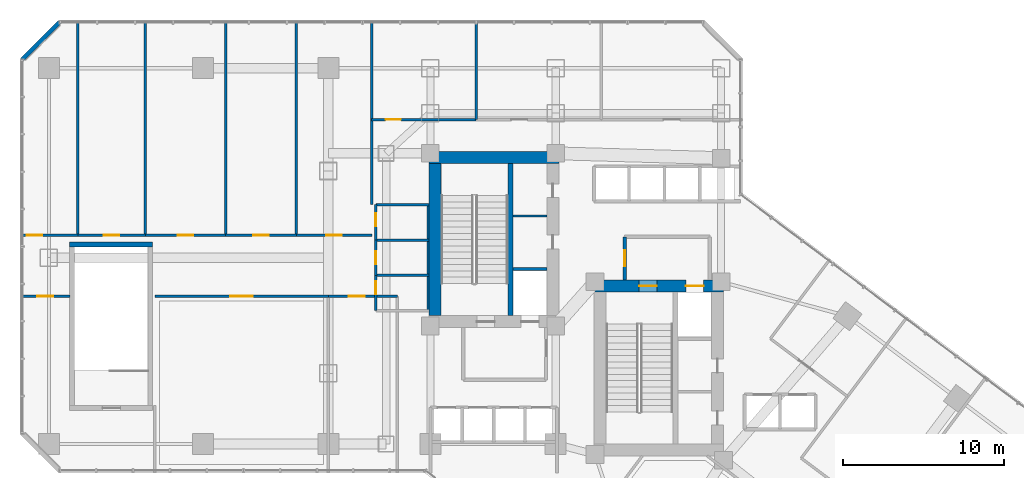
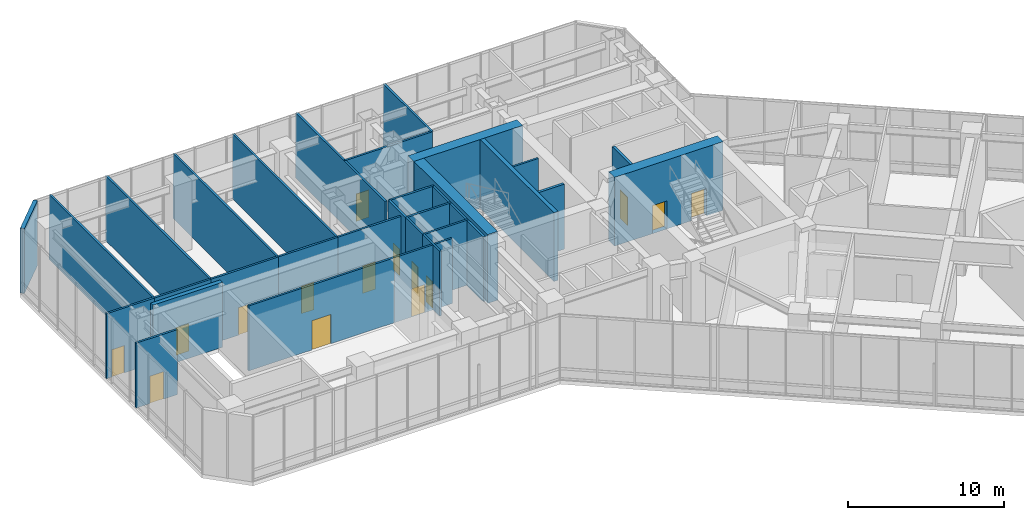
# One storey, part 34 of 38: 31 walls, 15 doors, 15 openings.
"""IFC4 building model written with IfcOpenShell, lengths in metres."""

from ifc_helpers import new_model, si_unit, direction, frame, frame_2d, origin, place, context, subcontext, project, spatial, rectangle, extrude, material, layer, layer_set, type_object, element, fill, save


model = new_model("IFC4")

# Units and contexts
model_context = context("Model", 3, precision=1e-05, world=origin(), true_north=direction((0.0, 1.0)))
body_context = subcontext(model_context, "Body", "Model", "MODEL_VIEW")
ifc_project = project(units=[si_unit("LENGTHUNIT", "METRE"), si_unit("AREAUNIT", "SQUARE_METRE"), si_unit("VOLUMEUNIT", "CUBIC_METRE"), si_unit("PLANEANGLEUNIT", "RADIAN"), si_unit("MASSUNIT", "GRAM", prefix="KILO")], contexts=[model_context])

# Site, building, storey
site_placement = place(None, origin())
site = spatial("IfcSite", under=ifc_project, at=site_placement, CompositionType="ELEMENT")
building_placement = place(site_placement, origin())
building = spatial("IfcBuilding", under=site, at=building_placement, Name="Hatsunagi Terrace Concourse", CompositionType="ELEMENT")
storey_placement = place(building_placement, frame((0.0, 0.0, 21.60009765625)))
storey = spatial("IfcBuildingStorey", under=building, at=storey_placement, Name="L05", CompositionType="ELEMENT", Elevation=21.60009765625)

# Walls
ifc_material_1 = material(Name="Concrete Fc60", Category="concrete")
ifc_layer_1 = layer(ifc_material_1, 0.75)
ifc_layer_set_1 = layer_set([ifc_layer_1], Name="CoreShearWall_Fc60_750")
wall_type_1 = type_object("IfcWallType", Name="CoreShearWall_Fc60_750", PredefinedType="SHEAR", material=ifc_layer_set_1)
wall_1_placement = place(storey_placement, frame((25.469970703125, 43.044921875, 0.0), z_axis=(0.0, 0.0, 1.0), x_axis=(1.0, 0.0, 0.0)))
element("IfcWall", 1, at=wall_1_placement, inside=storey, type_object=wall_type_1, Name="Core A Shear Wall N L05", PredefinedType="SHEAR", context=body_context, shape_type="SweptSolid", body=[
    extrude(rectangle(XDim=8.080078125, YDim=0.75, at=frame_2d((4.0400390625, 0.0))), origin(), (0.0, 0.0, 1.0), 5.39990234375),
])
wall_2_placement = place(storey_placement, frame((25.844970703125, 33.18994140625, 0.0), z_axis=(0.0, 0.0, 1.0), x_axis=(0.0, 1.0, 0.0)))
element("IfcWall", 2, at=wall_2_placement, inside=storey, type_object=wall_type_1, Name="Core A Shear Wall W L05", PredefinedType="SHEAR", context=body_context, shape_type="SweptSolid", body=[
    extrude(rectangle(XDim=9.47998046875, YDim=0.75, at=frame_2d((4.739990234375, 0.0))), origin(), (0.0, 0.0, 1.0), 5.39990234375),
])

# Wall, openings, doors
wall_3_placement = place(storey_placement, frame((35.739990234375, 35.044921875, 0.0), z_axis=(0.0, 0.0, 1.0), x_axis=(1.0, 0.0, 0.0)))
wall_3 = element("IfcWall", 3, at=wall_3_placement, inside=storey, type_object=wall_type_1, Name="Core B Shear Wall N L05", PredefinedType="SHEAR", context=body_context, shape_type="SweptSolid", body=[
    extrude(rectangle(XDim=8.06005859375, YDim=0.75, at=frame_2d((4.030029296875, 0.0))), origin(), (0.0, 0.0, 1.0), 5.39990234375),
])
opening_1_placement = place(wall_3_placement, frame((2.81005859375, 0.0, 0.0)))
opening_1 = element("IfcOpeningElement", 4, at=opening_1_placement, cuts=wall_3, Name="Opening DR-110S", PredefinedType="OPENING", context=body_context, shape_type="SweptSolid", body=[
    extrude(rectangle(XDim=1.10009765625, YDim=2.199951171875, at=frame_2d((0.550048828125, 1.10009765625))), frame((0.0, 0.385009765625, 0.0), z_axis=(0.0, -1.0, 0.0), x_axis=(1.0, 0.0, 0.0)), (0.0, 0.0, 1.0), 0.77001953125),
])
opening_2_placement = place(wall_3_placement, frame((5.7099609375, 0.0, 0.0)))
opening_2 = element("IfcOpeningElement", 5, at=opening_2_placement, cuts=wall_3, Name="Opening LD-02", PredefinedType="OPENING", context=body_context, shape_type="SweptSolid", body=[
    extrude(rectangle(XDim=1.1201171875, YDim=2.14990234375, at=frame_2d((0.56005859375, 1.074951171875))), frame((0.0, 0.385009765625, 0.0), z_axis=(0.0, -1.0, 0.0), x_axis=(1.0, 0.0, 0.0)), (0.0, 0.0, 1.0), 0.77001953125),
])
ifc_material_2 = material(Name="Stainless steel", Category="steel")
door_type_1 = type_object("IfcDoorType", Name="LiftLandingDoor_LD02", OperationType="SLIDING_TO_RIGHT", PredefinedType="USERDEFINED", material=ifc_material_2)
door_1_placement = place(opening_2_placement, origin())
door_1 = element("IfcDoor", 6, at=door_1_placement, inside=storey, type_object=door_type_1, Name="Lift landing door FF-02 L05", ObjectType="SLIDING_LANDING_DOOR", OperationType="SLIDING_TO_RIGHT", OverallHeight=2.14990234375, OverallWidth=1.1201171875, PredefinedType="USERDEFINED", context=body_context, shape_type="SweptSolid", body=[
    extrude(rectangle(XDim=1.1201171875, YDim=2.14990234375, at=frame_2d((0.56005859375, 1.074951171875))), frame((0.0, 0.02490234375, 0.0), z_axis=(0.0, -1.0, 0.0), x_axis=(1.0, 0.0, 0.0)), (0.0, 0.0, 1.0), 0.050048828125),
])
fill(opening_2, door_1)
ifc_material_3 = material(Name="Painted steel", Category="steel")
door_type_2 = type_object("IfcDoorType", Name="StairFireDoor_EI60_1100", OperationType="NOTDEFINED", PredefinedType="DOOR", material=ifc_material_3)
door_2_placement = place(opening_1_placement, origin())
door_2 = element("IfcDoor", 7, at=door_2_placement, inside=storey, type_object=door_type_2, Name="Stair ST-B Exit Door L05", OperationType="SINGLE_SWING_RIGHT", OverallHeight=2.199951171875, OverallWidth=1.10009765625, PredefinedType="DOOR", context=body_context, shape_type="SweptSolid", body=[
    extrude(rectangle(XDim=1.10009765625, YDim=2.199951171875, at=frame_2d((0.550048828125, 1.10009765625))), frame((0.0, 0.02490234375, 0.0), z_axis=(0.0, -1.0, 0.0), x_axis=(1.0, 0.0, 0.0)), (0.0, 0.0, 1.0), 0.050048828125),
])
fill(opening_1, door_2)

# Walls
ifc_material_4 = material(Name="Concrete Fc48", Category="concrete")
ifc_layer_2 = layer(ifc_material_4, 0.300048828125)
ifc_layer_set_2 = layer_set([ifc_layer_2], Name="CoreStairDivider_Fc48_300")
wall_type_2 = type_object("IfcWallType", Name="CoreStairDivider_Fc48_300", PredefinedType="SHEAR", material=ifc_layer_set_2)
wall_4_placement = place(storey_placement, frame((30.5400390625, 33.18994140625, 0.0), z_axis=(0.0, 0.0, 1.0), x_axis=(0.0, 1.0, 0.0)))
element("IfcWall", 8, at=wall_4_placement, inside=storey, type_object=wall_type_2, Name="Core A Shear Wall D L05", PredefinedType="SHEAR", context=body_context, shape_type="SweptSolid", body=[
    extrude(rectangle(XDim=9.47998046875, YDim=0.300048828125, at=frame_2d((4.739990234375, 0.0))), origin(), (0.0, 0.0, 1.0), 5.39990234375),
])
wall_5_placement = place(storey_placement, frame((3.090087890625, 37.6201171875, 0.0), z_axis=(0.0, 0.0, 1.0), x_axis=(1.0, 0.0, 0.0)))
element("IfcWall", 9, at=wall_5_placement, inside=storey, type_object=wall_type_2, Name="Podium Stair P1 Shear Wall N L05", PredefinedType="SHEAR", context=body_context, shape_type="SweptSolid", body=[
    extrude(rectangle(XDim=5.169921875, YDim=0.300048828125, at=frame_2d((2.5849609375, 0.0))), origin(), (0.0, 0.0, 1.0), 5.099853515625),
])
ifc_material_5 = material(Name="Acoustic mineral board", Category="gypsum")
ifc_layer_3 = layer(ifc_material_5, 0.14990234375)
ifc_layer_set_3 = layer_set([ifc_layer_3], Name="PartitionWall_EI60_150")
wall_type_3 = type_object("IfcWallType", Name="PartitionWall_EI60_150", PredefinedType="PARTITIONING", material=ifc_layer_set_3)
wall_6_placement = place(storey_placement, frame((30.699951171875, 39.39990234375, 0.0), z_axis=(0.0, 0.0, 1.0), x_axis=(1.0, 0.0, 0.0)))
element("IfcWall", 10, at=wall_6_placement, inside=storey, type_object=wall_type_3, Name="Interior Partition IW-L05-002", PredefinedType="PARTITIONING", context=body_context, shape_type="SweptSolid", body=[
    extrude(rectangle(XDim=2.10009765625, YDim=0.14990234375, at=frame_2d((1.050048828125, 0.0))), origin(), (0.0, 0.0, 1.0), 5.099853515625),
])
wall_7_placement = place(storey_placement, frame((22.14990234375, 40.10009765625, 0.0), z_axis=(0.0, 0.0, 1.0), x_axis=(1.0, 0.0, 0.0)))
element("IfcWall", 11, at=wall_7_placement, inside=storey, type_object=wall_type_3, Name="Interior Partition IW-L05-030", PredefinedType="PARTITIONING", context=body_context, shape_type="SweptSolid", body=[
    extrude(rectangle(XDim=3.300048828125, YDim=0.14990234375, at=frame_2d((1.64990234375, 0.0))), origin(), (0.0, 0.0, 1.0), 5.099853515625),
])
wall_8_placement = place(storey_placement, frame((25.39990234375, 33.5, 0.0), z_axis=(0.0, 0.0, 1.0), x_axis=(0.0, 1.0, 0.0)))
element("IfcWall", 12, at=wall_8_placement, inside=storey, type_object=wall_type_3, Name="Interior Partition IW-L05-031", PredefinedType="PARTITIONING", context=body_context, shape_type="SweptSolid", body=[
    extrude(rectangle(XDim=6.60009765625, YDim=0.14990234375, at=frame_2d((3.300048828125, 0.0))), origin(), (0.0, 0.0, 1.0), 5.099853515625),
])
for number, where, z_axis, x_axis, name in (
    (13, (22.14990234375, 35.699951171875, 0.0), (0.0, 0.0, 1.0), (1.0, 0.0, 0.0), "Interior Partition IW-L05-032"),
    (14, (22.14990234375, 37.89990234375, 0.0), (0.0, 0.0, 1.0), (1.0, 0.0, 0.0), "Interior Partition IW-L05-033"),
):
    element("IfcWall", number, at=place(storey_placement, frame(where, z_axis=z_axis, x_axis=x_axis)), inside=storey, type_object=wall_type_3, Name=name, PredefinedType="PARTITIONING", context=body_context, shape_type="SweptSolid", body=[
        extrude(rectangle(XDim=3.300048828125, YDim=0.14990234375, at=frame_2d((1.64990234375, 0.0))), origin(), (0.0, 0.0, 1.0), 5.099853515625),
    ])

# Wall, opening, door
wall_9_placement = place(storey_placement, frame((22.14990234375, 33.5, 0.0), z_axis=(0.0, 0.0, 1.0), x_axis=(0.0, 1.0, 0.0)))
wall_9 = element("IfcWall", 15, at=wall_9_placement, inside=storey, type_object=wall_type_3, Name="Interior Partition IW-L05-034", PredefinedType="PARTITIONING", context=body_context, shape_type="SweptSolid", body=[
    extrude(rectangle(XDim=2.199951171875, YDim=0.14990234375, at=frame_2d((1.10009765625, 0.0))), origin(), (0.0, 0.0, 1.0), 5.099853515625),
])
opening_3_placement = place(wall_9_placement, frame((1.02001953125, 0.0, 0.0)))
opening_3 = element("IfcOpeningElement", 16, at=opening_3_placement, cuts=wall_9, Name="Opening DR-080", PredefinedType="OPENING", context=body_context, shape_type="SweptSolid", body=[
    extrude(rectangle(XDim=0.800048828125, YDim=2.06005859375, at=frame_2d((0.39990234375, 1.030029296875))), frame((0.0, 0.0849609375, 0.0), z_axis=(0.0, -1.0, 0.0), x_axis=(1.0, 0.0, 0.0)), (0.0, 0.0, 1.0), 0.169921875),
])
ifc_material_6 = material(Name="Hardwood timber", Category="wood")
door_type_3 = type_object("IfcDoorType", Name="BathroomDoor_800", OperationType="NOTDEFINED", PredefinedType="DOOR", material=ifc_material_6)
door_3_placement = place(opening_3_placement, origin())
door_3 = element("IfcDoor", 17, at=door_3_placement, inside=storey, type_object=door_type_3, Name="Accessible WC Door L05", OperationType="SINGLE_SWING_LEFT", OverallHeight=2.06005859375, OverallWidth=0.800048828125, PredefinedType="DOOR", context=body_context, shape_type="SweptSolid", body=[
    extrude(rectangle(XDim=0.800048828125, YDim=2.06005859375, at=frame_2d((0.39990234375, 1.030029296875))), frame((0.0, 0.02490234375, 0.0), z_axis=(0.0, -1.0, 0.0), x_axis=(1.0, 0.0, 0.0)), (0.0, 0.0, 1.0), 0.050048828125),
])
fill(opening_3, door_3)

wall_10_placement = place(storey_placement, frame((22.14990234375, 35.699951171875, 0.0), z_axis=(0.0, 0.0, 1.0), x_axis=(0.0, 1.0, 0.0)))
wall_10 = element("IfcWall", 18, at=wall_10_placement, inside=storey, type_object=wall_type_3, Name="Interior Partition IW-L05-035", PredefinedType="PARTITIONING", context=body_context, shape_type="SweptSolid", body=[
    extrude(rectangle(XDim=2.199951171875, YDim=0.14990234375, at=frame_2d((1.10009765625, 0.0))), origin(), (0.0, 0.0, 1.0), 5.099853515625),
])
opening_4_placement = place(wall_10_placement, frame((0.699951171875, 0.0, 0.0)))
opening_4 = element("IfcOpeningElement", 19, at=opening_4_placement, cuts=wall_10, Name="Opening DR-080", PredefinedType="OPENING", context=body_context, shape_type="SweptSolid", body=[
    extrude(rectangle(XDim=0.800048828125, YDim=2.06005859375, at=frame_2d((0.39990234375, 1.030029296875))), frame((0.0, 0.0849609375, 0.0), z_axis=(0.0, -1.0, 0.0), x_axis=(1.0, 0.0, 0.0)), (0.0, 0.0, 1.0), 0.169921875),
])
door_4_placement = place(opening_4_placement, origin())
door_4 = element("IfcDoor", 20, at=door_4_placement, inside=storey, type_object=door_type_3, Name="Female Restroom Door L05", OperationType="SINGLE_SWING_LEFT", OverallHeight=2.06005859375, OverallWidth=0.800048828125, PredefinedType="DOOR", context=body_context, shape_type="SweptSolid", body=[
    extrude(rectangle(XDim=0.800048828125, YDim=2.06005859375, at=frame_2d((0.39990234375, 1.030029296875))), frame((0.0, 0.02490234375, 0.0), z_axis=(0.0, -1.0, 0.0), x_axis=(1.0, 0.0, 0.0)), (0.0, 0.0, 1.0), 0.050048828125),
])
fill(opening_4, door_4)

wall_11_placement = place(storey_placement, frame((22.14990234375, 37.89990234375, 0.0), z_axis=(0.0, 0.0, 1.0), x_axis=(0.0, 1.0, 0.0)))
wall_11 = element("IfcWall", 21, at=wall_11_placement, inside=storey, type_object=wall_type_3, Name="Interior Partition IW-L05-036", PredefinedType="PARTITIONING", context=body_context, shape_type="SweptSolid", body=[
    extrude(rectangle(XDim=2.2001953125, YDim=0.14990234375, at=frame_2d((1.10009765625, 0.0))), origin(), (0.0, 0.0, 1.0), 5.099853515625),
])
opening_5_placement = place(wall_11_placement, frame((0.860107421875, 0.0, 0.0)))
opening_5 = element("IfcOpeningElement", 22, at=opening_5_placement, cuts=wall_11, Name="Opening DR-080", PredefinedType="OPENING", context=body_context, shape_type="SweptSolid", body=[
    extrude(rectangle(XDim=0.800048828125, YDim=2.06005859375, at=frame_2d((0.39990234375, 1.030029296875))), frame((0.0, 0.0849609375, 0.0), z_axis=(0.0, -1.0, 0.0), x_axis=(1.0, 0.0, 0.0)), (0.0, 0.0, 1.0), 0.169921875),
])
door_5_placement = place(opening_5_placement, origin())
door_5 = element("IfcDoor", 23, at=door_5_placement, inside=storey, type_object=door_type_3, Name="Male Restroom Door L05", OperationType="SINGLE_SWING_RIGHT", OverallHeight=2.06005859375, OverallWidth=0.800048828125, PredefinedType="DOOR", context=body_context, shape_type="SweptSolid", body=[
    extrude(rectangle(XDim=0.800048828125, YDim=2.06005859375, at=frame_2d((0.39990234375, 1.030029296875))), frame((0.0, 0.02490234375, 0.0), z_axis=(0.0, -1.0, 0.0), x_axis=(1.0, 0.0, 0.0)), (0.0, 0.0, 1.0), 0.050048828125),
])
fill(opening_5, door_5)

wall_12_placement = place(storey_placement, frame((0.0400390625, 38.199951171875, 0.0), z_axis=(0.0, 0.0, 1.0), x_axis=(1.0, 0.0, 0.0)))
wall_12 = element("IfcWall", 24, at=wall_12_placement, inside=storey, type_object=wall_type_3, Name="Interior Partition IW-L05-037", PredefinedType="PARTITIONING", context=body_context, shape_type="SweptSolid", body=[
    extrude(rectangle(XDim=3.56005859375, YDim=0.14990234375, at=frame_2d((1.780029296875, 0.0))), origin(), (0.0, 0.0, 1.0), 5.099853515625),
])
opening_6_placement = place(wall_12_placement, frame((0.3798828125, 0.0, 0.0)))
opening_6 = element("IfcOpeningElement", 25, at=opening_6_placement, cuts=wall_12, Name="Opening DR-095", PredefinedType="OPENING", context=body_context, shape_type="SweptSolid", body=[
    extrude(rectangle(XDim=0.949951171875, YDim=2.14990234375, at=frame_2d((0.47509765625, 1.074951171875))), frame((0.0, 0.0849609375, 0.0), z_axis=(0.0, -1.0, 0.0), x_axis=(1.0, 0.0, 0.0)), (0.0, 0.0, 1.0), 0.169921875),
])
ifc_material_7 = material(Name="Hardwood timber", Category="wood")
door_type_4 = type_object("IfcDoorType", Name="InteriorSuiteDoor_EI30_950", OperationType="NOTDEFINED", PredefinedType="DOOR", material=ifc_material_7)
door_6_placement = place(opening_6_placement, origin())
door_6 = element("IfcDoor", 26, at=door_6_placement, inside=storey, type_object=door_type_4, Name="Focus Room L05-P5NB1 Door", OperationType="SINGLE_SWING_LEFT", OverallHeight=2.14990234375, OverallWidth=0.949951171875, PredefinedType="DOOR", context=body_context, shape_type="SweptSolid", body=[
    extrude(rectangle(XDim=0.949951171875, YDim=2.14990234375, at=frame_2d((0.47509765625, 1.074951171875))), frame((0.0, 0.02490234375, 0.0), z_axis=(0.0, -1.0, 0.0), x_axis=(1.0, 0.0, 0.0)), (0.0, 0.0, 1.0), 0.050048828125),
])
fill(opening_6, door_6)

# Wall
wall_13_placement = place(storey_placement, frame((3.60009765625, 38.199951171875, 0.0), z_axis=(0.0, 0.0, 1.0), x_axis=(0.0, 1.0, 0.0)))
element("IfcWall", 27, at=wall_13_placement, inside=storey, type_object=wall_type_3, Name="Interior Partition IW-L05-038", PredefinedType="PARTITIONING", context=body_context, shape_type="SweptSolid", body=[
    extrude(rectangle(XDim=13.360107421875, YDim=0.14990234375, at=frame_2d((6.68017578125, 0.0))), origin(), (0.0, 0.0, 1.0), 5.099853515625),
])

# Wall, opening, door
wall_14_placement = place(storey_placement, frame((3.60009765625, 38.199951171875, 0.0), z_axis=(0.0, 0.0, 1.0), x_axis=(1.0, 0.0, 0.0)))
wall_14 = element("IfcWall", 28, at=wall_14_placement, inside=storey, type_object=wall_type_3, Name="Interior Partition IW-L05-039", PredefinedType="PARTITIONING", context=body_context, shape_type="SweptSolid", body=[
    extrude(rectangle(XDim=4.199951171875, YDim=0.14990234375, at=frame_2d((2.10009765625, 0.0))), origin(), (0.0, 0.0, 1.0), 5.099853515625),
])
opening_7_placement = place(wall_14_placement, frame((1.625, 0.0, 0.0)))
opening_7 = element("IfcOpeningElement", 29, at=opening_7_placement, cuts=wall_14, Name="Opening DR-095", PredefinedType="OPENING", context=body_context, shape_type="SweptSolid", body=[
    extrude(rectangle(XDim=0.949951171875, YDim=2.14990234375, at=frame_2d((0.47509765625, 1.074951171875))), frame((0.0, 0.0849609375, 0.0), z_axis=(0.0, -1.0, 0.0), x_axis=(1.0, 0.0, 0.0)), (0.0, 0.0, 1.0), 0.169921875),
])
door_7_placement = place(opening_7_placement, origin())
door_7 = element("IfcDoor", 30, at=door_7_placement, inside=storey, type_object=door_type_4, Name="Executive Office L05-P5NB2 Door", OperationType="SINGLE_SWING_LEFT", OverallHeight=2.14990234375, OverallWidth=0.949951171875, PredefinedType="DOOR", context=body_context, shape_type="SweptSolid", body=[
    extrude(rectangle(XDim=0.949951171875, YDim=2.14990234375, at=frame_2d((0.47509765625, 1.074951171875))), frame((0.0, 0.02490234375, 0.0), z_axis=(0.0, -1.0, 0.0), x_axis=(1.0, 0.0, 0.0)), (0.0, 0.0, 1.0), 0.050048828125),
])
fill(opening_7, door_7)

# Wall
wall_15_placement = place(storey_placement, frame((7.800048828125, 38.199951171875, 0.0), z_axis=(0.0, 0.0, 1.0), x_axis=(0.0, 1.0, 0.0)))
element("IfcWall", 31, at=wall_15_placement, inside=storey, type_object=wall_type_3, Name="Interior Partition IW-L05-040", PredefinedType="PARTITIONING", context=body_context, shape_type="SweptSolid", body=[
    extrude(rectangle(XDim=13.360107421875, YDim=0.14990234375, at=frame_2d((6.68017578125, 0.0))), origin(), (0.0, 0.0, 1.0), 5.099853515625),
])

# Wall, opening, door
wall_16_placement = place(storey_placement, frame((7.800048828125, 38.199951171875, 0.0), z_axis=(0.0, 0.0, 1.0), x_axis=(1.0, 0.0, 0.0)))
wall_16 = element("IfcWall", 32, at=wall_16_placement, inside=storey, type_object=wall_type_3, Name="Interior Partition IW-L05-041", PredefinedType="PARTITIONING", context=body_context, shape_type="SweptSolid", body=[
    extrude(rectangle(XDim=5.0, YDim=0.14990234375, at=frame_2d((2.5, 0.0))), origin(), (0.0, 0.0, 1.0), 5.099853515625),
])
opening_8_placement = place(wall_16_placement, frame((2.02490234375, 0.0, 0.0)))
opening_8 = element("IfcOpeningElement", 33, at=opening_8_placement, cuts=wall_16, Name="Opening DR-095", PredefinedType="OPENING", context=body_context, shape_type="SweptSolid", body=[
    extrude(rectangle(XDim=0.949951171875, YDim=2.14990234375, at=frame_2d((0.47509765625, 1.074951171875))), frame((0.0, 0.0849609375, 0.0), z_axis=(0.0, -1.0, 0.0), x_axis=(1.0, 0.0, 0.0)), (0.0, 0.0, 1.0), 0.169921875),
])
door_8_placement = place(opening_8_placement, origin())
door_8 = element("IfcDoor", 34, at=door_8_placement, inside=storey, type_object=door_type_4, Name="Meeting Room L05-P5NB3 Door", OperationType="SINGLE_SWING_LEFT", OverallHeight=2.14990234375, OverallWidth=0.949951171875, PredefinedType="DOOR", context=body_context, shape_type="SweptSolid", body=[
    extrude(rectangle(XDim=0.949951171875, YDim=2.14990234375, at=frame_2d((0.47509765625, 1.074951171875))), frame((0.0, 0.02490234375, 0.0), z_axis=(0.0, -1.0, 0.0), x_axis=(1.0, 0.0, 0.0)), (0.0, 0.0, 1.0), 0.050048828125),
])
fill(opening_8, door_8)

# Wall
wall_17_placement = place(storey_placement, frame((12.800048828125, 38.199951171875, 0.0), z_axis=(0.0, 0.0, 1.0), x_axis=(0.0, 1.0, 0.0)))
element("IfcWall", 35, at=wall_17_placement, inside=storey, type_object=wall_type_3, Name="Interior Partition IW-L05-042", PredefinedType="PARTITIONING", context=body_context, shape_type="SweptSolid", body=[
    extrude(rectangle(XDim=13.360107421875, YDim=0.14990234375, at=frame_2d((6.68017578125, 0.0))), origin(), (0.0, 0.0, 1.0), 5.099853515625),
])

# Wall, opening, door
wall_18_placement = place(storey_placement, frame((12.800048828125, 38.199951171875, 0.0), z_axis=(0.0, 0.0, 1.0), x_axis=(1.0, 0.0, 0.0)))
wall_18 = element("IfcWall", 36, at=wall_18_placement, inside=storey, type_object=wall_type_3, Name="Interior Partition IW-L05-043", PredefinedType="PARTITIONING", context=body_context, shape_type="SweptSolid", body=[
    extrude(rectangle(XDim=4.39990234375, YDim=0.14990234375, at=frame_2d((2.199951171875, 0.0))), origin(), (0.0, 0.0, 1.0), 5.099853515625),
])
opening_9_placement = place(wall_18_placement, frame((1.72509765625, 0.0, 0.0)))
opening_9 = element("IfcOpeningElement", 37, at=opening_9_placement, cuts=wall_18, Name="Opening DR-095", PredefinedType="OPENING", context=body_context, shape_type="SweptSolid", body=[
    extrude(rectangle(XDim=0.949951171875, YDim=2.14990234375, at=frame_2d((0.47509765625, 1.074951171875))), frame((0.0, 0.0849609375, 0.0), z_axis=(0.0, -1.0, 0.0), x_axis=(1.0, 0.0, 0.0)), (0.0, 0.0, 1.0), 0.169921875),
])
door_9_placement = place(opening_9_placement, origin())
door_9 = element("IfcDoor", 38, at=door_9_placement, inside=storey, type_object=door_type_4, Name="Boardroom L05-P5NB4 Door", OperationType="SINGLE_SWING_RIGHT", OverallHeight=2.14990234375, OverallWidth=0.949951171875, PredefinedType="DOOR", context=body_context, shape_type="SweptSolid", body=[
    extrude(rectangle(XDim=0.949951171875, YDim=2.14990234375, at=frame_2d((0.47509765625, 1.074951171875))), frame((0.0, 0.02490234375, 0.0), z_axis=(0.0, -1.0, 0.0), x_axis=(1.0, 0.0, 0.0)), (0.0, 0.0, 1.0), 0.050048828125),
])
fill(opening_9, door_9)

# Wall
wall_19_placement = place(storey_placement, frame((17.199951171875, 38.199951171875, 0.0), z_axis=(0.0, 0.0, 1.0), x_axis=(0.0, 1.0, 0.0)))
element("IfcWall", 39, at=wall_19_placement, inside=storey, type_object=wall_type_3, Name="Interior Partition IW-L05-044", PredefinedType="PARTITIONING", context=body_context, shape_type="SweptSolid", body=[
    extrude(rectangle(XDim=13.360107421875, YDim=0.14990234375, at=frame_2d((6.68017578125, 0.0))), origin(), (0.0, 0.0, 1.0), 5.099853515625),
])

# Wall, opening, door
wall_20_placement = place(storey_placement, frame((17.199951171875, 38.199951171875, 0.0), z_axis=(0.0, 0.0, 1.0), x_axis=(1.0, 0.0, 0.0)))
wall_20 = element("IfcWall", 40, at=wall_20_placement, inside=storey, type_object=wall_type_3, Name="Interior Partition IW-L05-045", PredefinedType="PARTITIONING", context=body_context, shape_type="SweptSolid", body=[
    extrude(rectangle(XDim=4.699951171875, YDim=0.14990234375, at=frame_2d((2.35009765625, 0.0))), origin(), (0.0, 0.0, 1.0), 5.099853515625),
])
opening_10_placement = place(wall_20_placement, frame((1.875, 0.0, 0.0)))
opening_10 = element("IfcOpeningElement", 41, at=opening_10_placement, cuts=wall_20, Name="Opening DR-095", PredefinedType="OPENING", context=body_context, shape_type="SweptSolid", body=[
    extrude(rectangle(XDim=0.949951171875, YDim=2.14990234375, at=frame_2d((0.47509765625, 1.074951171875))), frame((0.0, 0.0849609375, 0.0), z_axis=(0.0, -1.0, 0.0), x_axis=(1.0, 0.0, 0.0)), (0.0, 0.0, 1.0), 0.169921875),
])
door_10_placement = place(opening_10_placement, origin())
door_10 = element("IfcDoor", 42, at=door_10_placement, inside=storey, type_object=door_type_4, Name="Seminar Room L05-P5NB5 Door", OperationType="SINGLE_SWING_RIGHT", OverallHeight=2.14990234375, OverallWidth=0.949951171875, PredefinedType="DOOR", context=body_context, shape_type="SweptSolid", body=[
    extrude(rectangle(XDim=0.949951171875, YDim=2.14990234375, at=frame_2d((0.47509765625, 1.074951171875))), frame((0.0, 0.02490234375, 0.0), z_axis=(0.0, -1.0, 0.0), x_axis=(1.0, 0.0, 0.0)), (0.0, 0.0, 1.0), 0.050048828125),
])
fill(opening_10, door_10)

# Wall
wall_21_placement = place(storey_placement, frame((21.89990234375, 40.10009765625, 0.0), z_axis=(0.0, 0.0, 1.0), x_axis=(0.0, 1.0, 0.0)))
element("IfcWall", 43, at=wall_21_placement, inside=storey, type_object=wall_type_3, Name="Interior Partition IW-L05-046", PredefinedType="PARTITIONING", context=body_context, shape_type="SweptSolid", body=[
    extrude(rectangle(XDim=11.4599609375, YDim=0.14990234375, at=frame_2d((5.72998046875, 0.0))), origin(), (0.0, 0.0, 1.0), 5.099853515625),
])

# Wall, opening, door
wall_22_placement = place(storey_placement, frame((21.89990234375, 45.39990234375, 0.0), z_axis=(0.0, 0.0, 1.0), x_axis=(1.0, 0.0, 0.0)))
wall_22 = element("IfcWall", 44, at=wall_22_placement, inside=storey, type_object=wall_type_3, Name="Interior Partition IW-L05-047", PredefinedType="PARTITIONING", context=body_context, shape_type="SweptSolid", body=[
    extrude(rectangle(XDim=6.5, YDim=0.14990234375, at=frame_2d((3.25, 0.0))), origin(), (0.0, 0.0, 1.0), 5.099853515625),
])
opening_11_placement = place(wall_22_placement, frame((0.85888671875, 0.0, 0.0)))
opening_11 = element("IfcOpeningElement", 45, at=opening_11_placement, cuts=wall_22, Name="Opening DR-095", PredefinedType="OPENING", context=body_context, shape_type="SweptSolid", body=[
    extrude(rectangle(XDim=0.949951171875, YDim=2.14990234375, at=frame_2d((0.47509765625, 1.074951171875))), frame((0.0, 0.0849609375, 0.0), z_axis=(0.0, -1.0, 0.0), x_axis=(1.0, 0.0, 0.0)), (0.0, 0.0, 1.0), 0.169921875),
])
door_11_placement = place(opening_11_placement, origin())
door_11 = element("IfcDoor", 46, at=door_11_placement, inside=storey, type_object=door_type_4, Name="VIP Lounge L05-P5NB6 Door", OperationType="SINGLE_SWING_LEFT", OverallHeight=2.14990234375, OverallWidth=0.949951171875, PredefinedType="DOOR", context=body_context, shape_type="SweptSolid", body=[
    extrude(rectangle(XDim=0.949951171875, YDim=2.14990234375, at=frame_2d((0.47509765625, 1.074951171875))), frame((0.0, 0.02490234375, 0.0), z_axis=(0.0, -1.0, 0.0), x_axis=(1.0, 0.0, 0.0)), (0.0, 0.0, 1.0), 0.050048828125),
])
fill(opening_11, door_11)

# Wall
wall_23_placement = place(storey_placement, frame((28.39990234375, 45.39990234375, 0.0), z_axis=(0.0, 0.0, 1.0), x_axis=(0.0, 1.0, 0.0)))
element("IfcWall", 47, at=wall_23_placement, inside=storey, type_object=wall_type_3, Name="Interior Partition IW-L05-048", PredefinedType="PARTITIONING", context=body_context, shape_type="SweptSolid", body=[
    extrude(rectangle(XDim=6.16015625, YDim=0.14990234375, at=frame_2d((3.080078125, 0.0))), origin(), (0.0, 0.0, 1.0), 5.099853515625),
])

# Wall, opening, door
wall_24_placement = place(storey_placement, frame((0.0400390625, 34.39990234375, 0.0), z_axis=(0.0, 0.0, 1.0), x_axis=(1.0, 0.0, 0.0)))
wall_24 = element("IfcWall", 48, at=wall_24_placement, inside=storey, type_object=wall_type_3, Name="Interior Partition IW-L05-052", PredefinedType="PARTITIONING", context=body_context, shape_type="SweptSolid", body=[
    extrude(rectangle(XDim=3.070068359375, YDim=0.14990234375, at=frame_2d((1.53515625, 0.0))), origin(), (0.0, 0.0, 1.0), 5.099853515625),
])
opening_12_placement = place(wall_24_placement, frame((1.034912109375, 0.0, 0.0)))
opening_12 = element("IfcOpeningElement", 49, at=opening_12_placement, cuts=wall_24, Name="Opening DR-100S", PredefinedType="OPENING", context=body_context, shape_type="SweptSolid", body=[
    extrude(rectangle(XDim=1.0, YDim=2.14990234375, at=frame_2d((0.5, 1.074951171875))), frame((0.0, 0.0849609375, 0.0), z_axis=(0.0, -1.0, 0.0), x_axis=(1.0, 0.0, 0.0)), (0.0, 0.0, 1.0), 0.169921875),
])
ifc_material_8 = material(Name="Hardwood timber", Category="wood")
door_type_5 = type_object("IfcDoorType", Name="SuiteDoor_EI30_1000", OperationType="NOTDEFINED", PredefinedType="DOOR", material=ifc_material_8)
door_12_placement = place(opening_12_placement, origin())
door_12 = element("IfcDoor", 50, at=door_12_placement, inside=storey, type_object=door_type_5, Name="Meeting Room L05-P5WS0 Door", OperationType="SINGLE_SWING_RIGHT", OverallHeight=2.14990234375, OverallWidth=1.0, PredefinedType="DOOR", context=body_context, shape_type="SweptSolid", body=[
    extrude(rectangle(XDim=1.0, YDim=2.14990234375, at=frame_2d((0.5, 1.074951171875))), frame((0.0, 0.02490234375, 0.0), z_axis=(0.0, -1.0, 0.0), x_axis=(1.0, 0.0, 0.0)), (0.0, 0.0, 1.0), 0.050048828125),
])
fill(opening_12, door_12)

wall_25_placement = place(storey_placement, frame((8.39990234375, 34.39990234375, 0.0), z_axis=(0.0, 0.0, 1.0), x_axis=(1.0, 0.0, 0.0)))
wall_25 = element("IfcWall", 51, at=wall_25_placement, inside=storey, type_object=wall_type_3, Name="Interior Partition IW-L05-054", PredefinedType="PARTITIONING", context=body_context, shape_type="SweptSolid", body=[
    extrude(rectangle(XDim=10.800048828125, YDim=0.14990234375, at=frame_2d((5.39990234375, 0.0))), origin(), (0.0, 0.0, 1.0), 5.099853515625),
])
opening_13_placement = place(wall_25_placement, frame((4.699951171875, 0.0, 0.0)))
opening_13 = element("IfcOpeningElement", 52, at=opening_13_placement, cuts=wall_25, Name="Opening DR-140", PredefinedType="OPENING", context=body_context, shape_type="SweptSolid", body=[
    extrude(rectangle(XDim=1.39990234375, YDim=2.300048828125, at=frame_2d((0.699951171875, 1.14990234375))), frame((0.0, 0.0849609375, 0.0), z_axis=(0.0, -1.0, 0.0), x_axis=(1.0, 0.0, 0.0)), (0.0, 0.0, 1.0), 0.169921875),
])
ifc_material_9 = material(Name="Hardwood timber", Category="wood")
door_type_6 = type_object("IfcDoorType", Name="LoungeDiningDoubleDoor_1400", OperationType="DOUBLE_DOOR_SINGLE_SWING", PredefinedType="DOOR", material=ifc_material_9)
door_13_placement = place(opening_13_placement, origin())
door_13 = element("IfcDoor", 53, at=door_13_placement, inside=storey, type_object=door_type_6, Name="Conference Hall L05-P5WCF1 Door", OperationType="DOUBLE_DOOR_SINGLE_SWING", OverallHeight=2.300048828125, OverallWidth=1.39990234375, PredefinedType="DOOR", context=body_context, shape_type="SweptSolid", body=[
    extrude(rectangle(XDim=1.39990234375, YDim=2.300048828125, at=frame_2d((0.699951171875, 1.14990234375))), frame((0.0, 0.02490234375, 0.0), z_axis=(0.0, -1.0, 0.0), x_axis=(1.0, 0.0, 0.0)), (0.0, 0.0, 1.0), 0.050048828125),
])
fill(opening_13, door_13)

wall_26_placement = place(storey_placement, frame((19.199951171875, 34.39990234375, 0.0), z_axis=(0.0, 0.0, 1.0), x_axis=(1.0, 0.0, 0.0)))
wall_26 = element("IfcWall", 54, at=wall_26_placement, inside=storey, type_object=wall_type_3, Name="Interior Partition IW-L05-056", PredefinedType="PARTITIONING", context=body_context, shape_type="SweptSolid", body=[
    extrude(rectangle(XDim=4.300048828125, YDim=0.14990234375, at=frame_2d((2.14990234375, 0.0))), origin(), (0.0, 0.0, 1.0), 5.099853515625),
])
opening_14_placement = place(wall_26_placement, frame((1.26904296875, 0.0, 0.0)))
opening_14 = element("IfcOpeningElement", 55, at=opening_14_placement, cuts=wall_26, Name="Opening DR-100F", PredefinedType="OPENING", context=body_context, shape_type="SweptSolid", body=[
    extrude(rectangle(XDim=1.0, YDim=2.199951171875, at=frame_2d((0.5, 1.10009765625))), frame((0.0, 0.0849609375, 0.0), z_axis=(0.0, -1.0, 0.0), x_axis=(1.0, 0.0, 0.0)), (0.0, 0.0, 1.0), 0.169921875),
])
ifc_material_10 = material(Name="Painted steel", Category="steel")
door_type_7 = type_object("IfcDoorType", Name="FireDoor_EI60_1000", OperationType="NOTDEFINED", PredefinedType="DOOR", material=ifc_material_10)
door_14_placement = place(opening_14_placement, origin())
door_14 = element("IfcDoor", 56, at=door_14_placement, inside=storey, type_object=door_type_7, Name="Catering Pantry L05-P5WCF2 Door", OperationType="SINGLE_SWING_LEFT", OverallHeight=2.199951171875, OverallWidth=1.0, PredefinedType="DOOR", context=body_context, shape_type="SweptSolid", body=[
    extrude(rectangle(XDim=1.0, YDim=2.199951171875, at=frame_2d((0.5, 1.10009765625))), frame((0.0, 0.02490234375, 0.0), z_axis=(0.0, -1.0, 0.0), x_axis=(1.0, 0.0, 0.0)), (0.0, 0.0, 1.0), 0.050048828125),
])
fill(opening_14, door_14)

# Wall
ifc_material_11 = material(Name="Acoustic mineral board", Category="gypsum")
ifc_layer_4 = layer(ifc_material_11, 0.199951171875)
ifc_layer_set_4 = layer_set([ifc_layer_4], Name="ShaftWall_EI120_200")
wall_type_4 = type_object("IfcWallType", Name="ShaftWall_EI120_200", PredefinedType="STANDARD", material=ifc_layer_set_4)
wall_27_placement = place(storey_placement, frame((30.699951171875, 36.10009765625, 0.0), z_axis=(0.0, 0.0, 1.0), x_axis=(1.0, 0.0, 0.0)))
element("IfcWall", 57, at=wall_27_placement, inside=storey, type_object=wall_type_4, Name="Interior Partition IW-L05-001", PredefinedType="STANDARD", context=body_context, shape_type="SweptSolid", body=[
    extrude(rectangle(XDim=2.10009765625, YDim=0.199951171875, at=frame_2d((1.050048828125, 0.0))), origin(), (0.0, 0.0, 1.0), 5.099853515625),
])

# Wall, opening, door
wall_28_placement = place(storey_placement, frame((37.64990234375, 35.419921875, 0.0), z_axis=(0.0, 0.0, 1.0), x_axis=(0.0, 1.0, 0.0)))
wall_28 = element("IfcWall", 58, at=wall_28_placement, inside=storey, type_object=wall_type_4, Name="Interior Partition IW-L05-010", PredefinedType="STANDARD", context=body_context, shape_type="SweptSolid", body=[
    extrude(rectangle(XDim=2.68017578125, YDim=0.199951171875, at=frame_2d((1.340087890625, 0.0))), origin(), (0.0, 0.0, 1.0), 5.099853515625),
])
opening_15_placement = place(wall_28_placement, frame((0.840087890625, 0.0, 0.0)))
opening_15 = element("IfcOpeningElement", 59, at=opening_15_placement, cuts=wall_28, Name="Opening DR-100F", PredefinedType="OPENING", context=body_context, shape_type="SweptSolid", body=[
    extrude(rectangle(XDim=1.0, YDim=2.199951171875, at=frame_2d((0.5, 1.10009765625))), frame((0.0, 0.10986328125, 0.0), z_axis=(0.0, -1.0, 0.0), x_axis=(1.0, 0.0, 0.0)), (0.0, 0.0, 1.0), 0.219970703125),
])
door_15_placement = place(opening_15_placement, origin())
door_15 = element("IfcDoor", 60, at=door_15_placement, inside=storey, type_object=door_type_7, Name="Firefighting Lobby B Door L05", OperationType="SINGLE_SWING_RIGHT", OverallHeight=2.199951171875, OverallWidth=1.0, PredefinedType="DOOR", context=body_context, shape_type="SweptSolid", body=[
    extrude(rectangle(XDim=1.0, YDim=2.199951171875, at=frame_2d((0.5, 1.10009765625))), frame((0.0, 0.02490234375, 0.0), z_axis=(0.0, -1.0, 0.0), x_axis=(1.0, 0.0, 0.0)), (0.0, 0.0, 1.0), 0.050048828125),
])
fill(opening_15, door_15)

# Wall
ifc_material_12 = material(Name="Autoclaved Lightweight Concrete and Terracotta Cladding", Category="masonry")
ifc_layer_5 = layer(ifc_material_12, 0.280029296875)
ifc_layer_set_5 = layer_set([ifc_layer_5], Name="TerracottaSpandrelWall_280")
wall_type_5 = type_object("IfcWallType", Name="TerracottaSpandrelWall_280", PredefinedType="STANDARD", material=ifc_layer_set_5)
wall_29_placement = place(storey_placement, frame((0.139892578125, 49.14208984375, 0.0), z_axis=(0.0, 0.0, 1.0), x_axis=(0.707144017911, 0.707069542501, 0.0)))
element("IfcWall", 61, at=wall_29_placement, inside=storey, type_object=wall_type_5, Name="Exterior Spandrel Wall EW-L05-10", PredefinedType="STANDARD", context=body_context, shape_type="SweptSolid", body=[
    extrude(rectangle(XDim=3.278076171875, YDim=0.280029296875, at=frame_2d((1.63916015625, 0.0))), origin(), (0.0, 0.0, 1.0), 5.099853515625),
])

save(model, "model.ifc")
